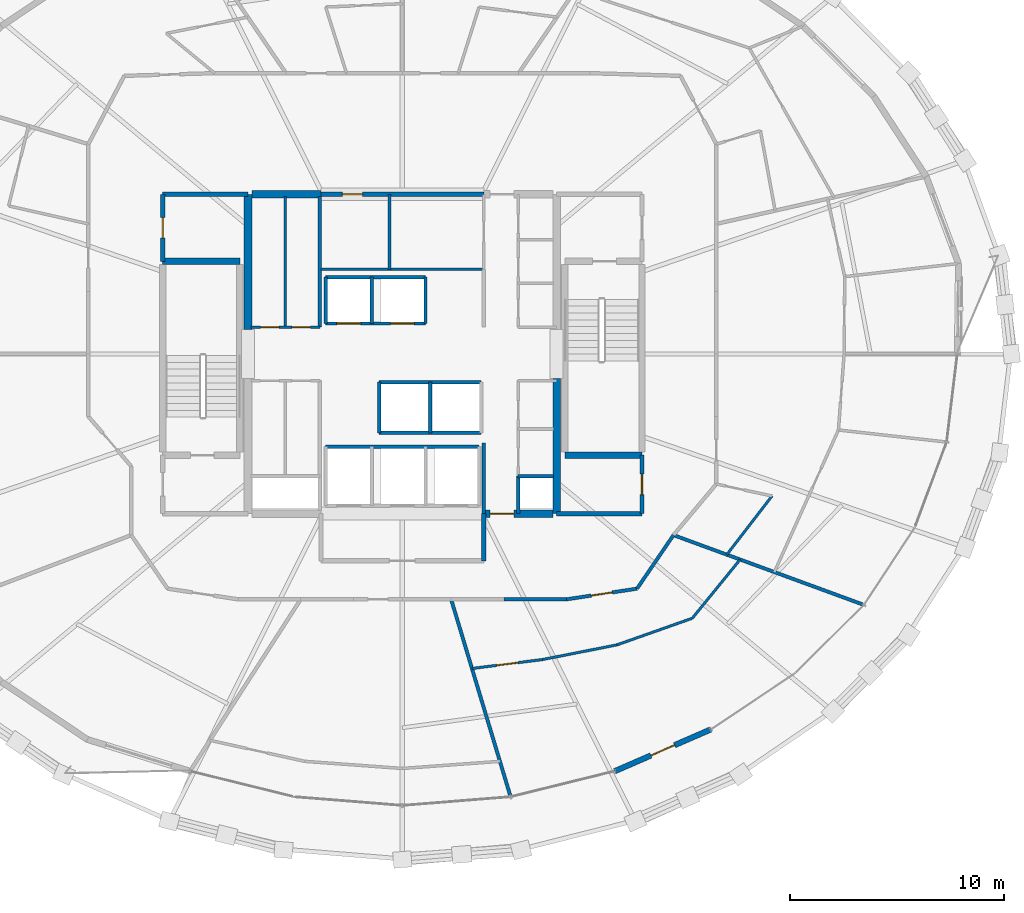
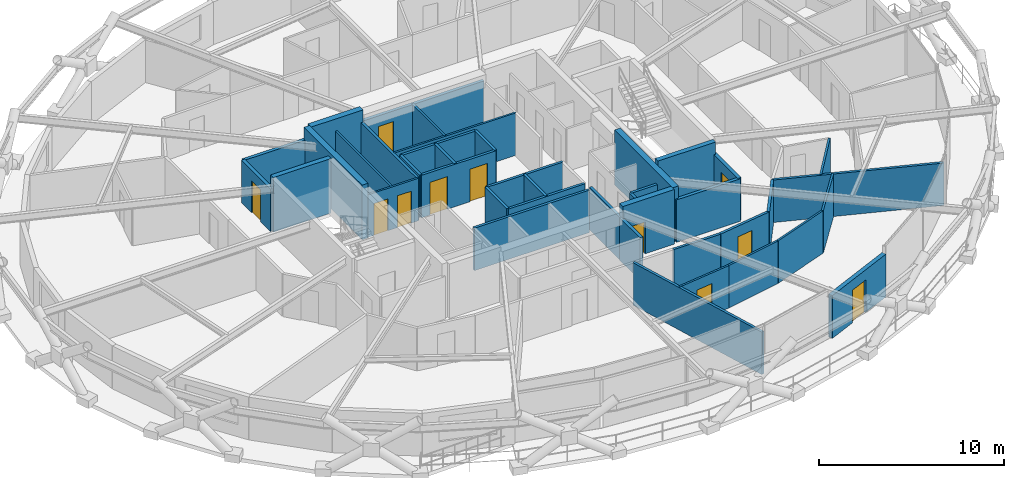
# One storey, part 15 of 21: 41 walls, 11 doors, 11 openings.
"""IFC4 building model written with IfcOpenShell, lengths in metres."""

from ifc_helpers import new_model, si_unit, direction, frame, frame_2d, origin, place, context, subcontext, project, spatial, rectangle, extrude, material, layer, layer_set, type_object, element, fill, save


model = new_model("IFC4")

# Units and contexts
model_context = context("Model", 3, precision=1e-05, world=origin(), true_north=direction((0.0, 1.0)))
body_context = subcontext(model_context, "Body", "Model", "MODEL_VIEW")
ifc_project = project(units=[si_unit("LENGTHUNIT", "METRE"), si_unit("AREAUNIT", "SQUARE_METRE"), si_unit("VOLUMEUNIT", "CUBIC_METRE"), si_unit("PLANEANGLEUNIT", "RADIAN"), si_unit("MASSUNIT", "GRAM", prefix="KILO")], contexts=[model_context])

# Site, building, storey
site_placement = place(None, origin())
site = spatial("IfcSite", under=ifc_project, at=site_placement, CompositionType="ELEMENT")
building_placement = place(site_placement, origin())
building = spatial("IfcBuilding", under=site, at=building_placement, Name="Veldorina Hangang Commons", CompositionType="ELEMENT")
storey_placement = place(building_placement, frame((0.0, 0.0, 142.39990234375)))
storey = spatial("IfcBuildingStorey", under=building, at=storey_placement, Name="L36", CompositionType="ELEMENT", Elevation=142.39990234375)

# Walls
ifc_material_1 = material(Name="Concrete C60/75", Category="concrete")
ifc_layer_1 = layer(ifc_material_1, 0.360107421875)
ifc_layer_set_1 = layer_set([ifc_layer_1], Name="Concrete C60/75")
wall_type_1 = type_object("IfcWallType", Name="CW-RC360-C60", PredefinedType="SHEAR", material=ifc_layer_set_1)
for number, where, z_axis, x_axis, name in (
    (1, (24.800048828125, 25.14990234375, 0.0), (0.0, 0.0, 1.0), (0.0, 1.0, 0.0), "L36 W north core shear wall"),
    (2, (39.199951171875, 16.550048828125, 0.0), (0.0, 0.0, 1.0), (0.0, 1.0, 0.0), "L36 E south core shear wall"),
):
    element("IfcWall", number, at=place(storey_placement, frame(where, z_axis=z_axis, x_axis=x_axis)), inside=storey, type_object=wall_type_1, Name=name, PredefinedType="SHEAR", context=body_context, shape_type="SweptSolid", body=[
        extrude(rectangle(XDim=6.300048828125, YDim=0.360107421875, at=frame_2d((3.14990234375, 0.0))), origin(), (0.0, 0.0, 1.0), 3.60009765625),
    ])

# Wall, opening, door
wall_1_placement = place(storey_placement, frame((35.800048828125, 16.550048828125, 0.0), z_axis=(0.0, 0.0, 1.0), x_axis=(1.0, 0.0, 0.0)))
wall_1 = element("IfcWall", 3, at=wall_1_placement, inside=storey, type_object=wall_type_1, Name="L36 south-east core shear wall", PredefinedType="SHEAR", context=body_context, shape_type="SweptSolid", body=[
    extrude(rectangle(XDim=3.219970703125, YDim=0.360107421875, at=frame_2d((1.60986328125, 0.0))), origin(), (0.0, 0.0, 1.0), 3.60009765625),
])
opening_1_placement = place(wall_1_placement, frame((0.300048828125, 0.0, 0.0)))
opening_1 = element("IfcOpeningElement", 4, at=opening_1_placement, cuts=wall_1, Name="Opening D-08", PredefinedType="OPENING", context=body_context, shape_type="SweptSolid", body=[
    extrude(rectangle(XDim=1.10009765625, YDim=2.10009765625, at=frame_2d((0.550048828125, 1.050048828125))), frame((0.0, 0.18994140625, 0.0), z_axis=(0.0, -1.0, 0.0), x_axis=(1.0, 0.0, 0.0)), (0.0, 0.0, 1.0), 0.380126953125),
])
ifc_material_2 = material(Name="Steel Fire-Rated Smoke Seal", Category="steel")
door_type_1 = type_object("IfcDoorType", Name="DR-FIRE-1100", OperationType="SINGLE_SWING_RIGHT", PredefinedType="DOOR", material=ifc_material_2)
door_1_placement = place(opening_1_placement, origin())
door_1 = element("IfcDoor", 5, at=door_1_placement, inside=storey, type_object=door_type_1, Name="L36 central lift lobby south corridor door", OperationType="SINGLE_SWING_RIGHT", OverallHeight=2.10009765625, OverallWidth=1.10009765625, PredefinedType="DOOR", context=body_context, shape_type="SweptSolid", body=[
    extrude(rectangle(XDim=1.10009765625, YDim=2.10009765625, at=frame_2d((0.550048828125, 1.050048828125))), frame((0.0, 0.02490234375, 0.0), z_axis=(0.0, -1.0, 0.0), x_axis=(1.0, 0.0, 0.0)), (0.0, 0.0, 1.0), 0.050048828125),
])
fill(opening_1, door_1)

# Wall
wall_2_placement = place(storey_placement, frame((24.97998046875, 31.449951171875, 0.0), z_axis=(0.0, 0.0, 1.0), x_axis=(1.0, 0.0, 0.0)))
element("IfcWall", 6, at=wall_2_placement, inside=storey, type_object=wall_type_1, Name="L36 north-west core shear wall", PredefinedType="SHEAR", context=body_context, shape_type="SweptSolid", body=[
    extrude(rectangle(XDim=3.219970703125, YDim=0.360107421875, at=frame_2d((1.60986328125, 0.0))), origin(), (0.0, 0.0, 1.0), 3.60009765625),
])

# Wall, opening, door
ifc_material_3 = material(Name="Stone Roman Travertine", Category="masonry")
ifc_layer_2 = layer(ifc_material_3, 0.260009765625)
ifc_layer_set_2 = layer_set([ifc_layer_2], Name="Stone Roman Travertine")
wall_type_2 = type_object("IfcWallType", Name="EW-LOGGIA-260", PredefinedType="STANDARD", material=ifc_layer_set_2)
wall_3_placement = place(storey_placement, frame((41.909423828125, 4.53369140625, 0.0), z_axis=(0.0, 0.0, 1.0), x_axis=(0.917026322139, 0.398826684794, 0.0)))
wall_3 = element("IfcWall", 7, at=wall_3_placement, inside=storey, type_object=wall_type_2, Name="L36 sky-garden loggia portal wall 26", PredefinedType="STANDARD", context=body_context, shape_type="SweptSolid", body=[
    extrude(rectangle(XDim=4.8818359375, YDim=0.260009765625, at=frame_2d((2.44091796875, 0.0))), origin(), (0.0, 0.0, 1.0), 2.820068359375),
])
opening_2_placement = place(wall_3_placement, frame((1.841064453125, 0.0, 0.0)))
opening_2 = element("IfcOpeningElement", 8, at=opening_2_placement, cuts=wall_3, Name="Opening BD-1200", PredefinedType="OPENING", context=body_context, shape_type="SweptSolid", body=[
    extrude(rectangle(XDim=1.199951171875, YDim=2.14990234375, at=frame_2d((0.60009765625, 1.074951171875))), frame((0.0, 0.14013671875, 0.0), z_axis=(0.0, -1.0, 0.0), x_axis=(1.0, 0.0, 0.0)), (0.0, 0.0, 1.0), 0.280029296875),
])
ifc_material_4 = material(Name="Glass Thermal Aluminium Frame", Category="aluminium")
door_type_2 = type_object("IfcDoorType", Name="DR-EXT-LOG1200", OperationType="SINGLE_SWING_LEFT", PredefinedType="DOOR", material=ifc_material_4)
door_2_placement = place(opening_2_placement, origin())
door_2 = element("IfcDoor", 9, at=door_2_placement, inside=storey, type_object=door_type_2, Name="L36 loggia glazed exterior door 26", OperationType="SINGLE_SWING_LEFT", OverallHeight=2.14990234375, OverallWidth=1.199951171875, PredefinedType="DOOR", context=body_context, shape_type="SweptSolid", body=[
    extrude(rectangle(XDim=1.199951171875, YDim=2.14990234375, at=frame_2d((0.60009765625, 1.074951171875))), frame((0.0, 0.02490234375, 0.0), z_axis=(0.0, -1.0, 0.0), x_axis=(1.0, 0.0, 0.0)), (0.0, 0.0, 1.0), 0.050048828125),
])
fill(opening_2, door_2)

# Walls
ifc_material_5 = material(Name="Concrete C50/60", Category="concrete")
ifc_layer_3 = layer(ifc_material_5, 0.300048828125)
ifc_layer_set_3 = layer_set([ifc_layer_3], Name="Concrete C50/60")
wall_type_3 = type_object("IfcWallType", Name="SW-STAIR-300", PredefinedType="SHEAR", material=ifc_layer_set_3)
for number, where, z_axis, x_axis, name in (
    (10, (20.820068359375, 28.320068359375, 0.0), (0.0, 0.0, 1.0), (1.0, 0.0, 0.0), "L36 ST1 north stair shear wall"),
    (11, (39.580078125, 19.280029296875, 0.0), (0.0, 0.0, 1.0), (1.0, 0.0, 0.0), "L36 ST2 south stair shear wall"),
):
    element("IfcWall", number, at=place(storey_placement, frame(where, z_axis=z_axis, x_axis=x_axis)), inside=storey, type_object=wall_type_3, Name=name, PredefinedType="SHEAR", context=body_context, shape_type="SweptSolid", body=[
        extrude(rectangle(XDim=3.599853515625, YDim=0.300048828125, at=frame_2d((1.7998046875, 0.0))), origin(), (0.0, 0.0, 1.0), 3.60009765625),
    ])
ifc_material_6 = material(Name="Gypsum Fire-Rated Twin Stud Wall", Category="gypsum")
ifc_layer_4 = layer(ifc_material_6, 0.159912109375)
ifc_layer_set_4 = layer_set([ifc_layer_4], Name="Gypsum Fire-Rated Twin Stud Wall")
wall_type_4 = type_object("IfcWallType", Name="WL-FIRE-160", PredefinedType="SOLIDWALL", material=ifc_layer_set_4)
wall_4_placement = place(storey_placement, frame((35.800048828125, 16.550048828125, 0.0), z_axis=(0.0, 0.0, 1.0), x_axis=(0.0, 1.0, 0.0)))
element("IfcWall", 12, at=wall_4_placement, inside=storey, type_object=wall_type_4, Name="L36 Lift passage SW wall 009", PredefinedType="SOLIDWALL", context=body_context, shape_type="SweptSolid", body=[
    extrude(rectangle(XDim=3.300048828125, YDim=0.159912109375, at=frame_2d((1.64990234375, 0.0))), origin(), (0.0, 0.0, 1.0), 2.800048828125),
])
wall_5_placement = place(storey_placement, frame((37.39990234375, 16.550048828125, 0.0), z_axis=(0.0, 0.0, 1.0), x_axis=(0.0, 1.0, 0.0)))
element("IfcWall", 13, at=wall_5_placement, inside=storey, type_object=wall_type_4, Name="L36 Lift passage SE stub 010", PredefinedType="SOLIDWALL", context=body_context, shape_type="SweptSolid", body=[
    extrude(rectangle(XDim=1.75, YDim=0.159912109375, at=frame_2d((0.875, 0.0))), origin(), (0.0, 0.0, 1.0), 2.800048828125),
])

# Wall, openings, doors
wall_6_placement = place(storey_placement, frame((28.419921875, 25.419921875, 0.0), z_axis=(0.0, 0.0, 1.0), x_axis=(1.0, 0.0, 0.0)))
wall_6 = element("IfcWall", 14, at=wall_6_placement, inside=storey, type_object=wall_type_4, Name="L36 Mid-high front shaft wall 015", PredefinedType="SOLIDWALL", context=body_context, shape_type="SweptSolid", body=[
    extrude(rectangle(XDim=4.66015625, YDim=0.159912109375, at=frame_2d((2.330078125, 0.0))), origin(), (0.0, 0.0, 1.0), 2.800048828125),
])
opening_3_placement = place(wall_6_placement, frame((0.530029296875, 0.0, 0.0)))
opening_3 = element("IfcOpeningElement", 15, at=opening_3_placement, cuts=wall_6, Name="Opening LD-01", PredefinedType="OPENING", context=body_context, shape_type="SweptSolid", body=[
    extrude(rectangle(XDim=1.10009765625, YDim=2.14990234375, at=frame_2d((0.550048828125, 1.074951171875))), frame((0.0, 0.08984375, 0.0), z_axis=(0.0, -1.0, 0.0), x_axis=(1.0, 0.0, 0.0)), (0.0, 0.0, 1.0), 0.179931640625),
])
opening_4_placement = place(wall_6_placement, frame((3.030029296875, 0.0, 0.0)))
opening_4 = element("IfcOpeningElement", 16, at=opening_4_placement, cuts=wall_6, Name="Opening LD-01", PredefinedType="OPENING", context=body_context, shape_type="SweptSolid", body=[
    extrude(rectangle(XDim=1.10009765625, YDim=2.14990234375, at=frame_2d((0.550048828125, 1.074951171875))), frame((0.0, 0.08984375, 0.0), z_axis=(0.0, -1.0, 0.0), x_axis=(1.0, 0.0, 0.0)), (0.0, 0.0, 1.0), 0.179931640625),
])
ifc_material_7 = material(Name="Stainless Steel Brushed Lift Door", Category="steel")
door_type_3 = type_object("IfcDoorType", Name="DR-LIFT-1100", OperationType="SLIDING_TO_LEFT", PredefinedType="DOOR", material=ifc_material_7)
door_3_placement = place(opening_3_placement, origin())
door_3 = element("IfcDoor", 17, at=door_3_placement, inside=storey, type_object=door_type_3, Name="L36 Lift PL-M1 landing door 006", OperationType="SLIDING_TO_RIGHT", OverallHeight=2.14990234375, OverallWidth=1.10009765625, PredefinedType="DOOR", context=body_context, shape_type="SweptSolid", body=[
    extrude(rectangle(XDim=1.10009765625, YDim=2.14990234375, at=frame_2d((0.550048828125, 1.074951171875))), frame((0.0, 0.02490234375, 0.0), z_axis=(0.0, -1.0, 0.0), x_axis=(1.0, 0.0, 0.0)), (0.0, 0.0, 1.0), 0.050048828125),
])
fill(opening_3, door_3)
door_4_placement = place(opening_4_placement, origin())
door_4 = element("IfcDoor", 18, at=door_4_placement, inside=storey, type_object=door_type_3, Name="L36 Lift PL-M2 landing door 007", OperationType="SLIDING_TO_RIGHT", OverallHeight=2.14990234375, OverallWidth=1.10009765625, PredefinedType="DOOR", context=body_context, shape_type="SweptSolid", body=[
    extrude(rectangle(XDim=1.10009765625, YDim=2.14990234375, at=frame_2d((0.550048828125, 1.074951171875))), frame((0.0, 0.02490234375, 0.0), z_axis=(0.0, -1.0, 0.0), x_axis=(1.0, 0.0, 0.0)), (0.0, 0.0, 1.0), 0.050048828125),
])
fill(opening_4, door_4)

# Walls
wall_7_placement = place(storey_placement, frame((28.419921875, 27.580078125, 0.0), z_axis=(0.0, 0.0, 1.0), x_axis=(1.0, 0.0, 0.0)))
element("IfcWall", 19, at=wall_7_placement, inside=storey, type_object=wall_type_4, Name="L36 Mid-high rear shaft wall 016", PredefinedType="SOLIDWALL", context=body_context, shape_type="SweptSolid", body=[
    extrude(rectangle(XDim=4.66015625, YDim=0.159912109375, at=frame_2d((2.330078125, 0.0))), origin(), (0.0, 0.0, 1.0), 2.800048828125),
])
for number, where, z_axis, x_axis, name in (
    (20, (28.419921875, 25.419921875, 0.0), (0.0, 0.0, 1.0), (0.0, 1.0, 0.0), "L36 PL-M1 west shaft wall 017"),
    (21, (30.580078125, 25.419921875, 0.0), (0.0, 0.0, 1.0), (0.0, 1.0, 0.0), "L36 PL-M1 east shaft wall 018"),
    (22, (33.080078125, 25.419921875, 0.0), (0.0, 0.0, 1.0), (0.0, 1.0, 0.0), "L36 PL-M2 east shaft wall 019"),
):
    element("IfcWall", number, at=place(storey_placement, frame(where, z_axis=z_axis, x_axis=x_axis)), inside=storey, type_object=wall_type_4, Name=name, PredefinedType="SOLIDWALL", context=body_context, shape_type="SweptSolid", body=[
        extrude(rectangle(XDim=2.16015625, YDim=0.159912109375, at=frame_2d((1.080078125, 0.0))), origin(), (0.0, 0.0, 1.0), 2.800048828125),
    ])
for number, where, z_axis, x_axis, name in (
    (23, (30.919921875, 22.679931640625, 0.0), (0.0, 0.0, 1.0), (1.0, 0.0, 0.0), "L36 Shuttle-high front shaft wall 020"),
    (24, (30.919921875, 20.320068359375, 0.0), (0.0, 0.0, 1.0), (1.0, 0.0, 0.0), "L36 Shuttle-high rear shaft wall 021"),
):
    element("IfcWall", number, at=place(storey_placement, frame(where, z_axis=z_axis, x_axis=x_axis)), inside=storey, type_object=wall_type_4, Name=name, PredefinedType="SOLIDWALL", context=body_context, shape_type="SweptSolid", body=[
        extrude(rectangle(XDim=4.760009765625, YDim=0.159912109375, at=frame_2d((2.3798828125, 0.0))), origin(), (0.0, 0.0, 1.0), 2.800048828125),
    ])
for number, where, z_axis, x_axis, name in (
    (25, (30.919921875, 20.320068359375, 0.0), (0.0, 0.0, 1.0), (0.0, 1.0, 0.0), "L36 SL-1 west shaft wall 022"),
    (26, (33.300048828125, 20.320068359375, 0.0), (0.0, 0.0, 1.0), (0.0, 1.0, 0.0), "L36 SL-1 east shaft wall 023"),
):
    element("IfcWall", number, at=place(storey_placement, frame(where, z_axis=z_axis, x_axis=x_axis)), inside=storey, type_object=wall_type_4, Name=name, PredefinedType="SOLIDWALL", context=body_context, shape_type="SweptSolid", body=[
        extrude(rectangle(XDim=2.35986328125, YDim=0.159912109375, at=frame_2d((1.179931640625, 0.0))), origin(), (0.0, 0.0, 1.0), 2.800048828125),
    ])
wall_8_placement = place(storey_placement, frame((28.419921875, 19.679931640625, 0.0), z_axis=(0.0, 0.0, 1.0), x_axis=(1.0, 0.0, 0.0)))
element("IfcWall", 27, at=wall_8_placement, inside=storey, type_object=wall_type_4, Name="L36 Emergency rear shaft wall 026", PredefinedType="SOLIDWALL", context=body_context, shape_type="SweptSolid", body=[
    extrude(rectangle(XDim=7.16015625, YDim=0.159912109375, at=frame_2d((3.580078125, 0.0))), origin(), (0.0, 0.0, 1.0), 2.800048828125),
])
wall_9_placement = place(storey_placement, frame((37.39990234375, 18.300048828125, 0.0), z_axis=(0.0, 0.0, 1.0), x_axis=(1.0, 0.0, 0.0)))
element("IfcWall", 28, at=wall_9_placement, inside=storey, type_object=wall_type_4, Name="L36 Plumbing riser wall 037", PredefinedType="SOLIDWALL", context=body_context, shape_type="SweptSolid", body=[
    extrude(rectangle(XDim=1.650146484375, YDim=0.159912109375, at=frame_2d((0.8251953125, 0.0))), origin(), (0.0, 0.0, 1.0), 2.800048828125),
])
wall_10_placement = place(storey_placement, frame((28.14990234375, 25.25, 0.0), z_axis=(0.0, 0.0, 1.0), x_axis=(0.0, 1.0, 0.0)))
element("IfcWall", 29, at=wall_10_placement, inside=storey, type_object=wall_type_4, Name="L36 NW core inner wall 038", PredefinedType="SOLIDWALL", context=body_context, shape_type="SweptSolid", body=[
    extrude(rectangle(XDim=6.10009765625, YDim=0.159912109375, at=frame_2d((3.050048828125, 0.0))), origin(), (0.0, 0.0, 1.0), 2.800048828125),
])
wall_11_placement = place(storey_placement, frame((36.74267578125, 12.550048828125, 0.0), z_axis=(0.0, 0.0, 1.0), x_axis=(1.0, 0.0, 0.0)))
element("IfcWall", 30, at=wall_11_placement, inside=storey, type_object=wall_type_4, Name="L36 U-corridor outer wall 26 076", PredefinedType="SOLIDWALL", context=body_context, shape_type="SweptSolid", body=[
    extrude(rectangle(XDim=2.907958984375, YDim=0.159912109375, at=frame_2d((1.4541015625, 0.0))), origin(), (0.0, 0.0, 1.0), 2.800048828125),
])

# Wall, opening, door
wall_12_placement = place(storey_placement, frame((39.650634765625, 12.550048828125, 0.0), z_axis=(0.0, 0.0, 1.0), x_axis=(0.988710906508, 0.149835721217, 0.0)))
wall_12 = element("IfcWall", 31, at=wall_12_placement, inside=storey, type_object=wall_type_4, Name="L36 U-corridor outer wall 27 077", PredefinedType="SOLIDWALL", context=body_context, shape_type="SweptSolid", body=[
    extrude(rectangle(XDim=3.3369140625, YDim=0.159912109375, at=frame_2d((1.66845703125, 0.0))), origin(), (0.0, 0.0, 1.0), 2.800048828125),
])
opening_5_placement = place(wall_12_placement, frame((1.16845703125, 0.0, 0.0)))
opening_5 = element("IfcOpeningElement", 32, at=opening_5_placement, cuts=wall_12, Name="Opening D-05", PredefinedType="OPENING", context=body_context, shape_type="SweptSolid", body=[
    extrude(rectangle(XDim=1.0, YDim=2.10009765625, at=frame_2d((0.5, 1.050048828125))), frame((0.0, 0.08984375, 0.0), z_axis=(0.0, -1.0, 0.0), x_axis=(1.0, 0.0, 0.0)), (0.0, 0.0, 1.0), 0.179931640625),
])
ifc_material_8 = material(Name="Timber Solid Core Acoustic", Category="wood")
door_type_4 = type_object("IfcDoorType", Name="DR-INT-1000", OperationType="SINGLE_SWING_RIGHT", PredefinedType="DOOR", material=ifc_material_8)
door_5_placement = place(opening_5_placement, origin())
door_5 = element("IfcDoor", 33, at=door_5_placement, inside=storey, type_object=door_type_4, Name="L36 Commons alcove door 022", OperationType="SINGLE_SWING_RIGHT", OverallHeight=2.10009765625, OverallWidth=1.0, PredefinedType="DOOR", context=body_context, shape_type="SweptSolid", body=[
    extrude(rectangle(XDim=1.0, YDim=2.10009765625, at=frame_2d((0.5, 1.050048828125))), frame((0.0, 0.02490234375, 0.0), z_axis=(0.0, -1.0, 0.0), x_axis=(1.0, 0.0, 0.0)), (0.0, 0.0, 1.0), 0.050048828125),
])
fill(opening_5, door_5)

# Walls
wall_13_placement = place(storey_placement, frame((42.949951171875, 13.050048828125, 0.0), z_axis=(0.0, 0.0, 1.0), x_axis=(0.562674669208, 0.826678423955, 0.0)))
element("IfcWall", 34, at=wall_13_placement, inside=storey, type_object=wall_type_4, Name="L36 U-corridor outer wall 28 078", PredefinedType="SOLIDWALL", context=body_context, shape_type="SweptSolid", body=[
    extrude(rectangle(XDim=3.021240234375, YDim=0.159912109375, at=frame_2d((1.5107421875, 0.0))), origin(), (0.0, 0.0, 1.0), 2.800048828125),
])
wall_14_placement = place(storey_placement, frame((34.277587890625, 12.550048828125, 0.0), z_axis=(0.0, 0.0, 1.0), x_axis=(0.288260166363, -0.957552127295, 0.0)))
element("IfcWall", 35, at=wall_14_placement, inside=storey, type_object=wall_type_4, Name="L36 Unit party wall 25 082", PredefinedType="SOLIDWALL", context=body_context, shape_type="SweptSolid", body=[
    extrude(rectangle(XDim=9.573974609375, YDim=0.159912109375, at=frame_2d((4.787109375, 0.0))), origin(), (0.0, 0.0, 1.0), 2.800048828125),
])
wall_15_placement = place(storey_placement, frame((44.64990234375, 15.547607421875, 0.0), z_axis=(0.0, 0.0, 1.0), x_axis=(0.938969383343, -0.344000722593, 0.0)))
element("IfcWall", 36, at=wall_15_placement, inside=storey, type_object=wall_type_4, Name="L36 Unit party wall 29 087", PredefinedType="SOLIDWALL", context=body_context, shape_type="SweptSolid", body=[
    extrude(rectangle(XDim=9.407958984375, YDim=0.159912109375, at=frame_2d((4.7041015625, 0.0))), origin(), (0.0, 0.0, 1.0), 2.800048828125),
])

# Wall, opening, door
ifc_material_9 = material(Name="Concrete Blockwork Fire Wall C30/37", Category="masonry")
ifc_layer_5 = layer(ifc_material_9, 0.199951171875)
ifc_layer_set_5 = layer_set([ifc_layer_5], Name="Concrete Blockwork Fire Wall C30/37")
wall_type_5 = type_object("IfcWallType", Name="WL-FIRE-200", PredefinedType="SOLIDWALL", material=ifc_layer_set_5)
wall_16_placement = place(storey_placement, frame((20.820068359375, 28.320068359375, 0.0), z_axis=(0.0, 0.0, 1.0), x_axis=(0.0, 1.0, 0.0)))
wall_16 = element("IfcWall", 37, at=wall_16_placement, inside=storey, type_object=wall_type_5, Name="L36 NW core room outer wall 005", PredefinedType="SOLIDWALL", context=body_context, shape_type="SweptSolid", body=[
    extrude(rectangle(XDim=3.1298828125, YDim=0.199951171875, at=frame_2d((1.56494140625, 0.0))), origin(), (0.0, 0.0, 1.0), 2.800048828125),
])
opening_6_placement = place(wall_16_placement, frame((1.090087890625, 0.0, 0.0)))
opening_6 = element("IfcOpeningElement", 38, at=opening_6_placement, cuts=wall_16, Name="Opening D-04", PredefinedType="OPENING", context=body_context, shape_type="SweptSolid", body=[
    extrude(rectangle(XDim=0.949951171875, YDim=2.10009765625, at=frame_2d((0.47509765625, 1.050048828125))), frame((0.0, 0.10986328125, 0.0), z_axis=(0.0, -1.0, 0.0), x_axis=(1.0, 0.0, 0.0)), (0.0, 0.0, 1.0), 0.219970703125),
])
ifc_material_10 = material(Name="Timber Accessible Flush Leaf", Category="wood")
door_type_5 = type_object("IfcDoorType", Name="DR-ACC-950", OperationType="SINGLE_SWING_LEFT", PredefinedType="DOOR", material=ifc_material_10)
door_6_placement = place(opening_6_placement, origin())
door_6 = element("IfcDoor", 39, at=door_6_placement, inside=storey, type_object=door_type_5, Name="L36 NW core WC door 003", OperationType="SINGLE_SWING_LEFT", OverallHeight=2.10009765625, OverallWidth=0.949951171875, PredefinedType="DOOR", context=body_context, shape_type="SweptSolid", body=[
    extrude(rectangle(XDim=0.949951171875, YDim=2.10009765625, at=frame_2d((0.47509765625, 1.050048828125))), frame((0.0, 0.02490234375, 0.0), z_axis=(0.0, -1.0, 0.0), x_axis=(1.0, 0.0, 0.0)), (0.0, 0.0, 1.0), 0.050048828125),
])
fill(opening_6, door_6)

# Wall
wall_17_placement = place(storey_placement, frame((20.820068359375, 31.449951171875, 0.0), z_axis=(0.0, 0.0, 1.0), x_axis=(1.0, 0.0, 0.0)))
element("IfcWall", 40, at=wall_17_placement, inside=storey, type_object=wall_type_5, Name="L36 NW core room north wall 006", PredefinedType="SOLIDWALL", context=body_context, shape_type="SweptSolid", body=[
    extrude(rectangle(XDim=3.97998046875, YDim=0.199951171875, at=frame_2d((1.989990234375, 0.0))), origin(), (0.0, 0.0, 1.0), 2.800048828125),
])

# Wall, opening, door
wall_18_placement = place(storey_placement, frame((43.179931640625, 16.550048828125, 0.0), z_axis=(0.0, 0.0, 1.0), x_axis=(0.0, 1.0, 0.0)))
wall_18 = element("IfcWall", 41, at=wall_18_placement, inside=storey, type_object=wall_type_5, Name="L36 SE core room outer wall 007", PredefinedType="SOLIDWALL", context=body_context, shape_type="SweptSolid", body=[
    extrude(rectangle(XDim=2.72998046875, YDim=0.199951171875, at=frame_2d((1.364990234375, 0.0))), origin(), (0.0, 0.0, 1.0), 2.800048828125),
])
opening_7_placement = place(wall_18_placement, frame((0.889892578125, 0.0, 0.0)))
opening_7 = element("IfcOpeningElement", 42, at=opening_7_placement, cuts=wall_18, Name="Opening D-02", PredefinedType="OPENING", context=body_context, shape_type="SweptSolid", body=[
    extrude(rectangle(XDim=0.949951171875, YDim=2.10009765625, at=frame_2d((0.47509765625, 1.050048828125))), frame((0.0, 0.10986328125, 0.0), z_axis=(0.0, -1.0, 0.0), x_axis=(1.0, 0.0, 0.0)), (0.0, 0.0, 1.0), 0.219970703125),
])
door_type_6 = type_object("IfcDoorType", Name="DR-INT-950", OperationType="SINGLE_SWING_LEFT", PredefinedType="DOOR", material=ifc_material_8)
door_7_placement = place(opening_7_placement, origin())
door_7 = element("IfcDoor", 43, at=door_7_placement, inside=storey, type_object=door_type_6, Name="L36 SE core WC door 004", OperationType="SINGLE_SWING_RIGHT", OverallHeight=2.10009765625, OverallWidth=0.949951171875, PredefinedType="DOOR", context=body_context, shape_type="SweptSolid", body=[
    extrude(rectangle(XDim=0.949951171875, YDim=2.10009765625, at=frame_2d((0.47509765625, 1.050048828125))), frame((0.0, 0.02490234375, 0.0), z_axis=(0.0, -1.0, 0.0), x_axis=(1.0, 0.0, 0.0)), (0.0, 0.0, 1.0), 0.050048828125),
])
fill(opening_7, door_7)

# Walls
wall_19_placement = place(storey_placement, frame((39.199951171875, 16.550048828125, 0.0), z_axis=(0.0, 0.0, 1.0), x_axis=(1.0, 0.0, 0.0)))
element("IfcWall", 44, at=wall_19_placement, inside=storey, type_object=wall_type_5, Name="L36 SE core room south wall 008", PredefinedType="SOLIDWALL", context=body_context, shape_type="SweptSolid", body=[
    extrude(rectangle(XDim=3.97998046875, YDim=0.199951171875, at=frame_2d((1.989990234375, 0.0))), origin(), (0.0, 0.0, 1.0), 2.800048828125),
])
wall_20_placement = place(storey_placement, frame((35.800048828125, 14.35009765625, 0.0), z_axis=(0.0, 0.0, 1.0), x_axis=(0.0, 1.0, 0.0)))
element("IfcWall", 45, at=wall_20_placement, inside=storey, type_object=wall_type_5, Name="L36 FF lobby east wall 013", PredefinedType="SOLIDWALL", context=body_context, shape_type="SweptSolid", body=[
    extrude(rectangle(XDim=2.199951171875, YDim=0.199951171875, at=frame_2d((1.10009765625, 0.0))), origin(), (0.0, 0.0, 1.0), 2.800048828125),
])

# Wall, opening, door
wall_21_placement = place(storey_placement, frame((28.199951171875, 31.449951171875, 0.0), z_axis=(0.0, 0.0, 1.0), x_axis=(1.0, 0.0, 0.0)))
wall_21 = element("IfcWall", 46, at=wall_21_placement, inside=storey, type_object=wall_type_5, Name="L36 Merged north core wall 031", PredefinedType="SOLIDWALL", context=body_context, shape_type="SweptSolid", body=[
    extrude(rectangle(XDim=7.60009765625, YDim=0.199951171875, at=frame_2d((3.800048828125, 0.0))), origin(), (0.0, 0.0, 1.0), 2.800048828125),
])
opening_8_placement = place(wall_21_placement, frame((1.0, 0.0, 0.0)))
opening_8 = element("IfcOpeningElement", 47, at=opening_8_placement, cuts=wall_21, Name="Opening D-02", PredefinedType="OPENING", context=body_context, shape_type="SweptSolid", body=[
    extrude(rectangle(XDim=0.949951171875, YDim=2.10009765625, at=frame_2d((0.47509765625, 1.050048828125))), frame((0.0, 0.10986328125, 0.0), z_axis=(0.0, -1.0, 0.0), x_axis=(1.0, 0.0, 0.0)), (0.0, 0.0, 1.0), 0.219970703125),
])
door_8_placement = place(opening_8_placement, origin())
door_8 = element("IfcDoor", 48, at=door_8_placement, inside=storey, type_object=door_type_6, Name="L36 Core study alcove door 011", OperationType="SINGLE_SWING_LEFT", OverallHeight=2.10009765625, OverallWidth=0.949951171875, PredefinedType="DOOR", context=body_context, shape_type="SweptSolid", body=[
    extrude(rectangle(XDim=0.949951171875, YDim=2.10009765625, at=frame_2d((0.47509765625, 1.050048828125))), frame((0.0, 0.02490234375, 0.0), z_axis=(0.0, -1.0, 0.0), x_axis=(1.0, 0.0, 0.0)), (0.0, 0.0, 1.0), 0.050048828125),
])
fill(opening_8, door_8)

# Walls
ifc_material_11 = material(Name="Gypsum Acoustic Stud Partition", Category="gypsum")
ifc_layer_6 = layer(ifc_material_11, 0.1201171875)
ifc_layer_set_6 = layer_set([ifc_layer_6], Name="Gypsum Acoustic Stud Partition")
wall_type_6 = type_object("IfcWallType", Name="WL-PART-120", PredefinedType="PARTITIONING", material=ifc_layer_set_6)
wall_22_placement = place(storey_placement, frame((28.199951171875, 27.949951171875, 0.0), z_axis=(0.0, 0.0, 1.0), x_axis=(1.0, 0.0, 0.0)))
element("IfcWall", 49, at=wall_22_placement, inside=storey, type_object=wall_type_6, Name="L36 Merged north south wall 032", PredefinedType="PARTITIONING", context=body_context, shape_type="SweptSolid", body=[
    extrude(rectangle(XDim=7.60009765625, YDim=0.1201171875, at=frame_2d((3.800048828125, 0.0))), origin(), (0.0, 0.0, 1.0), 2.800048828125),
])
wall_23_placement = place(storey_placement, frame((31.39990234375, 27.949951171875, 0.0), z_axis=(0.0, 0.0, 1.0), x_axis=(0.0, 1.0, 0.0)))
element("IfcWall", 50, at=wall_23_placement, inside=storey, type_object=wall_type_6, Name="L36 Merged north split wall 034", PredefinedType="PARTITIONING", context=body_context, shape_type="SweptSolid", body=[
    extrude(rectangle(XDim=3.5, YDim=0.1201171875, at=frame_2d((1.75, 0.0))), origin(), (0.0, 0.0, 1.0), 2.800048828125),
])

# Wall, openings, doors
wall_24_placement = place(storey_placement, frame((24.949951171875, 25.25, 0.0), z_axis=(0.0, 0.0, 1.0), x_axis=(1.0, 0.0, 0.0)))
wall_24 = element("IfcWall", 51, at=wall_24_placement, inside=storey, type_object=wall_type_6, Name="L36 NW service south wall 039", PredefinedType="PARTITIONING", context=body_context, shape_type="SweptSolid", body=[
    extrude(rectangle(XDim=3.199951171875, YDim=0.1201171875, at=frame_2d((1.60009765625, 0.0))), origin(), (0.0, 0.0, 1.0), 2.800048828125),
])
opening_9_placement = place(wall_24_placement, frame((0.43994140625, 0.0, 0.0)))
opening_9 = element("IfcOpeningElement", 52, at=opening_9_placement, cuts=wall_24, Name="Opening D-01", PredefinedType="OPENING", context=body_context, shape_type="SweptSolid", body=[
    extrude(rectangle(XDim=0.860107421875, YDim=2.10009765625, at=frame_2d((0.43017578125, 1.050048828125))), frame((0.0, 0.070068359375, 0.0), z_axis=(0.0, -1.0, 0.0), x_axis=(1.0, 0.0, 0.0)), (0.0, 0.0, 1.0), 0.14013671875),
])
opening_10_placement = place(wall_24_placement, frame((1.89990234375, 0.0, 0.0)))
opening_10 = element("IfcOpeningElement", 53, at=opening_10_placement, cuts=wall_24, Name="Opening D-01", PredefinedType="OPENING", context=body_context, shape_type="SweptSolid", body=[
    extrude(rectangle(XDim=0.860107421875, YDim=2.10009765625, at=frame_2d((0.43017578125, 1.050048828125))), frame((0.0, 0.070068359375, 0.0), z_axis=(0.0, -1.0, 0.0), x_axis=(1.0, 0.0, 0.0)), (0.0, 0.0, 1.0), 0.14013671875),
])
ifc_material_12 = material(Name="Timber Moisture-Resistant Core", Category="wood")
door_type_7 = type_object("IfcDoorType", Name="DR-WET-860", OperationType="SINGLE_SWING_LEFT", PredefinedType="DOOR", material=ifc_material_12)
door_9_placement = place(opening_9_placement, origin())
door_9 = element("IfcDoor", 54, at=door_9_placement, inside=storey, type_object=door_type_7, Name="L36 Linen west door 013", OperationType="SINGLE_SWING_LEFT", OverallHeight=2.10009765625, OverallWidth=0.860107421875, PredefinedType="DOOR", context=body_context, shape_type="SweptSolid", body=[
    extrude(rectangle(XDim=0.860107421875, YDim=2.10009765625, at=frame_2d((0.43017578125, 1.050048828125))), frame((0.0, 0.02490234375, 0.0), z_axis=(0.0, -1.0, 0.0), x_axis=(1.0, 0.0, 0.0)), (0.0, 0.0, 1.0), 0.050048828125),
])
fill(opening_9, door_9)
door_10_placement = place(opening_10_placement, origin())
door_10 = element("IfcDoor", 55, at=door_10_placement, inside=storey, type_object=door_type_7, Name="L36 Data closet door 014", OperationType="SINGLE_SWING_RIGHT", OverallHeight=2.10009765625, OverallWidth=0.860107421875, PredefinedType="DOOR", context=body_context, shape_type="SweptSolid", body=[
    extrude(rectangle(XDim=0.860107421875, YDim=2.10009765625, at=frame_2d((0.43017578125, 1.050048828125))), frame((0.0, 0.02490234375, 0.0), z_axis=(0.0, -1.0, 0.0), x_axis=(1.0, 0.0, 0.0)), (0.0, 0.0, 1.0), 0.050048828125),
])
fill(opening_10, door_10)

# Wall
wall_25_placement = place(storey_placement, frame((26.530029296875, 25.25, 0.0), z_axis=(0.0, 0.0, 1.0), x_axis=(0.0, 1.0, 0.0)))
element("IfcWall", 56, at=wall_25_placement, inside=storey, type_object=wall_type_6, Name="L36 NW vertical split 045", PredefinedType="PARTITIONING", context=body_context, shape_type="SweptSolid", body=[
    extrude(rectangle(XDim=6.10009765625, YDim=0.1201171875, at=frame_2d((3.050048828125, 0.0))), origin(), (0.0, 0.0, 1.0), 2.800048828125),
])

# Wall, opening, door
wall_26_placement = place(storey_placement, frame((35.24853515625, 9.32470703125, 0.0), z_axis=(0.0, 0.0, 1.0), x_axis=(0.99202194159, 0.126065329903, 0.0)))
wall_26 = element("IfcWall", 57, at=wall_26_placement, inside=storey, type_object=wall_type_6, Name="L36 Lounge alcove split 0 083", PredefinedType="PARTITIONING", context=body_context, shape_type="SweptSolid", body=[
    extrude(rectangle(XDim=3.3291015625, YDim=0.1201171875, at=frame_2d((1.66455078125, 0.0))), origin(), (0.0, 0.0, 1.0), 2.800048828125),
])
opening_11_placement = place(wall_26_placement, frame((1.16455078125, 0.0, 0.0)))
opening_11 = element("IfcOpeningElement", 58, at=opening_11_placement, cuts=wall_26, Name="Opening D-05", PredefinedType="OPENING", context=body_context, shape_type="SweptSolid", body=[
    extrude(rectangle(XDim=1.0, YDim=2.10009765625, at=frame_2d((0.5, 1.050048828125))), frame((0.0, 0.070068359375, 0.0), z_axis=(0.0, -1.0, 0.0), x_axis=(1.0, 0.0, 0.0)), (0.0, 0.0, 1.0), 0.14013671875),
])
door_11_placement = place(opening_11_placement, origin())
door_11 = element("IfcDoor", 59, at=door_11_placement, inside=storey, type_object=door_type_4, Name="L36 Commons lounge door 023", OperationType="SINGLE_SWING_LEFT", OverallHeight=2.10009765625, OverallWidth=1.0, PredefinedType="DOOR", context=body_context, shape_type="SweptSolid", body=[
    extrude(rectangle(XDim=1.0, YDim=2.10009765625, at=frame_2d((0.5, 1.050048828125))), frame((0.0, 0.02490234375, 0.0), z_axis=(0.0, -1.0, 0.0), x_axis=(1.0, 0.0, 0.0)), (0.0, 0.0, 1.0), 0.050048828125),
])
fill(opening_11, door_11)

# Walls
wall_27_placement = place(storey_placement, frame((38.551025390625, 9.744384765625, 0.0), z_axis=(0.0, 0.0, 1.0), x_axis=(0.981123183162, 0.193383813856, 0.0)))
element("IfcWall", 60, at=wall_27_placement, inside=storey, type_object=wall_type_6, Name="L36 Lounge alcove split 1 084", PredefinedType="PARTITIONING", context=body_context, shape_type="SweptSolid", body=[
    extrude(rectangle(XDim=3.5234375, YDim=0.1201171875, at=frame_2d((1.76171875, 0.0))), origin(), (0.0, 0.0, 1.0), 2.800048828125),
])
wall_28_placement = place(storey_placement, frame((42.008056640625, 10.42578125, 0.0), z_axis=(0.0, 0.0, 1.0), x_axis=(0.94294683511, 0.332943337754, 0.0)))
element("IfcWall", 61, at=wall_28_placement, inside=storey, type_object=wall_type_6, Name="L36 Lounge alcove split 2 085", PredefinedType="PARTITIONING", context=body_context, shape_type="SweptSolid", body=[
    extrude(rectangle(XDim=3.73095703125, YDim=0.1201171875, at=frame_2d((1.865478515625, 0.0))), origin(), (0.0, 0.0, 1.0), 2.800048828125),
])
wall_29_placement = place(storey_placement, frame((45.526123046875, 11.66796875, 0.0), z_axis=(0.0, 0.0, 1.0), x_axis=(0.631502283557, 0.775374016757, 0.0)))
element("IfcWall", 62, at=wall_29_placement, inside=storey, type_object=wall_type_6, Name="L36 Lounge alcove split 3 086", PredefinedType="PARTITIONING", context=body_context, shape_type="SweptSolid", body=[
    extrude(rectangle(XDim=3.53466796875, YDim=0.1201171875, at=frame_2d((1.767333984375, 0.0))), origin(), (0.0, 0.0, 1.0), 2.800048828125),
])
wall_30_placement = place(storey_placement, frame((47.13671875, 14.636474609375, 0.0), z_axis=(0.0, 0.0, 1.0), x_axis=(0.610550329764, 0.791977458534, 0.0)))
element("IfcWall", 63, at=wall_30_placement, inside=storey, type_object=wall_type_6, Name="L36 Cluster 2 bath front wall 088", PredefinedType="PARTITIONING", context=body_context, shape_type="SweptSolid", body=[
    extrude(rectangle(XDim=3.45556640625, YDim=0.1201171875, at=frame_2d((1.727783203125, 0.0))), origin(), (0.0, 0.0, 1.0), 2.800048828125),
])

save(model, "model.ifc")
